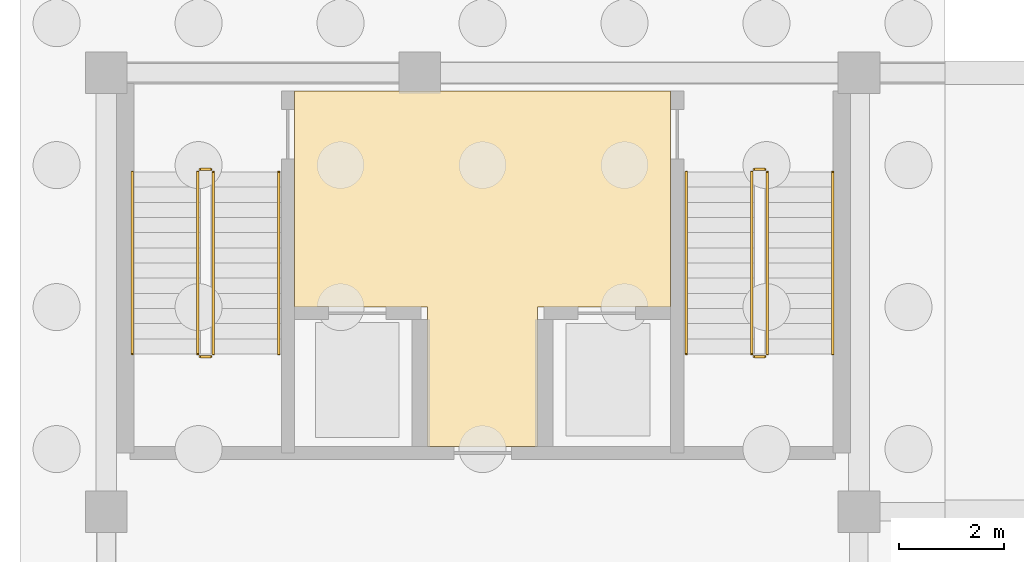
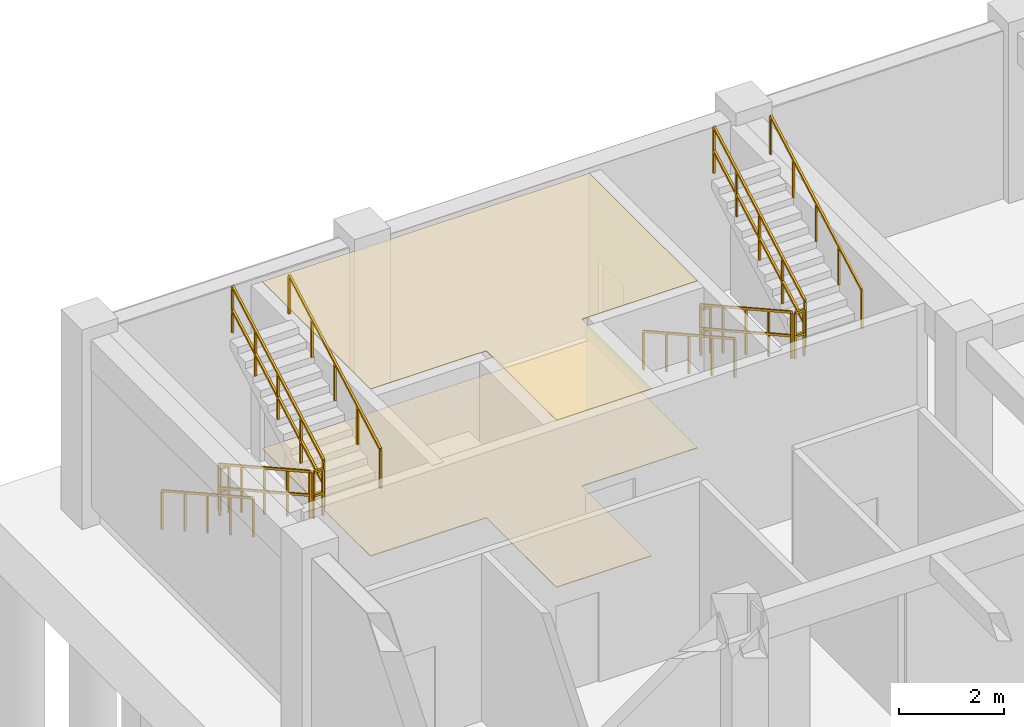
# One storey, part 37 of 40: 12 railings, 2 coverings.
"""IFC4 building model written with IfcOpenShell, lengths in metres."""

from ifc_helpers import new_model, si_unit, direction, frame, origin, origin_2d, place, context, subcontext, project, spatial, polyline, rectangle, outline, extrude, material, layer, layer_set, type_object, element, save


model = new_model("IFC4")

# Units and contexts
model_context = context("Model", 3, precision=1e-05, world=origin(), true_north=direction((0.0, 1.0)))
body_context = subcontext(model_context, "Body", "Model", "MODEL_VIEW")
ifc_project = project(units=[si_unit("LENGTHUNIT", "METRE"), si_unit("AREAUNIT", "SQUARE_METRE"), si_unit("VOLUMEUNIT", "CUBIC_METRE"), si_unit("PLANEANGLEUNIT", "RADIAN"), si_unit("MASSUNIT", "GRAM", prefix="KILO"), si_unit("THERMODYNAMICTEMPERATUREUNIT", "KELVIN")], contexts=[model_context])

# Site, building, storey
site_placement = place(None, origin())
site = spatial("IfcSite", under=ifc_project, at=site_placement, CompositionType="ELEMENT")
building_placement = place(site_placement, origin())
building = spatial("IfcBuilding", under=site, at=building_placement, Name="Thalorik Housing Commons", CompositionType="ELEMENT")
storey_placement = place(building_placement, frame((0.0, 0.0, -4.199951171875)))
storey = spatial("IfcBuildingStorey", under=building, at=storey_placement, Name="B1", CompositionType="ELEMENT", Elevation=-4.199951171875)

# Coverings
ifc_material_1 = material(Name="Mineral fibre acoustic ceiling tile")
ifc_layer_1 = layer(ifc_material_1, 0.01806640625, Name="Mineral fibre acoustic ceiling tile")
ifc_layer_set_1 = layer_set([ifc_layer_1], Name="Mineral fibre acoustic ceiling tile")
covering_type_1 = type_object("IfcCoveringType", Name="ARC-COV-CEIL-02", PredefinedType="CEILING", material=ifc_layer_set_1)
covering_1_placement = place(storey_placement, frame((0.0, 0.0, 3.8818359375)))
element("IfcCovering", 1, at=covering_1_placement, inside=storey, type_object=covering_type_1, Name="B1 Block A Firefighting Lift Lobby Suspended Ceiling", PredefinedType="CEILING", context=body_context, shape_type="SweptSolid", body=[
    extrude(outline(polyline([(14.550048828125, 116.449951171875), (16.64990234375, 116.449951171875), (16.650146484375, 119.1201171875), (19.199951171875, 119.1201171875), (19.199951171875, 123.25), (12.0, 123.25), (12.0, 119.1201171875), (14.550048828125, 119.1201171875), (14.550048828125, 116.449951171875)])), origin(), (0.0, 0.0, 1.0), 0.01806640625),
])
ifc_material_2 = material(Name="Slip-resistant quarry terracotta corridor tile", Category="masonry")
ifc_layer_2 = layer(ifc_material_2, 0.01611328125, Name="Slip-resistant quarry terracotta corridor tile", Category="masonry")
ifc_layer_set_2 = layer_set([ifc_layer_2], Name="Slip-resistant quarry terracotta corridor tile")
covering_type_2 = type_object("IfcCoveringType", Name="ARC-COV-FLR-02", PredefinedType="FLOORING", material=ifc_layer_set_2)
covering_2_placement = place(storey_placement, origin())
element("IfcCovering", 2, at=covering_2_placement, inside=storey, type_object=covering_type_2, Name="B1 Block A Firefighting Lift Lobby Flooring", PredefinedType="FLOORING", context=body_context, shape_type="SweptSolid", body=[
    extrude(outline(polyline([(14.550048828125, 116.449951171875), (16.64990234375, 116.449951171875), (16.650146484375, 119.1201171875), (19.199951171875, 119.1201171875), (19.199951171875, 123.25), (12.0, 123.25), (12.0, 119.1201171875), (14.550048828125, 119.1201171875), (14.550048828125, 116.449951171875)])), origin(), (0.0, 0.0, 1.0), 0.015869140625),
])

# Railings
ifc_material_3 = material(Name="Steel S355", Category="steel")
railing_type_1 = type_object("IfcRailingType", Name="ARC-RL-STR-GRD110", PredefinedType="GUARDRAIL", material=ifc_material_3)
railing_1_placement = place(storey_placement, frame((10.14990234375, 121.699951171875, 0.161376953125)))
element("IfcRailing", 3, at=railing_1_placement, inside=storey, type_object=railing_type_1, Name="B1 ST-A1 stair guard 1", PredefinedType="GUARDRAIL", context=body_context, shape_type="SweptSolid", body=[
    extrude(rectangle(XDim=0.048095703125, YDim=0.048095703125, at=origin_2d()), frame((0.0, 0.0, 1.076171875), z_axis=(0.0, -0.87360743253, 0.486631332559), x_axis=(1.0, 0.0, 0.0)), (0.0, 0.0, 1.0), 3.9833984375),
    extrude(rectangle(XDim=0.048095703125, YDim=0.048095703125, at=origin_2d()), frame((0.0, 0.0, 0.52587890625), z_axis=(0.0, -0.87360743253, 0.486631332559), x_axis=(1.0, 0.0, 0.0)), (0.0, 0.0, 1.0), 3.9833984375),
    extrude(rectangle(XDim=0.0419921875, YDim=0.0419921875, at=origin_2d()), origin(), (0.0, 0.0, 1.0), 1.052001953125),
    extrude(rectangle(XDim=0.0419921875, YDim=0.0419921875, at=origin_2d()), frame((0.0, -0.8701171875, 0.484619140625)), (0.0, 0.0, 1.0), 1.052001953125),
    extrude(rectangle(XDim=0.0419921875, YDim=0.0419921875, at=origin_2d()), frame((0.0, -1.739990234375, 0.96923828125)), (0.0, 0.0, 1.0), 1.052001953125),
    extrude(rectangle(XDim=0.0419921875, YDim=0.0419921875, at=origin_2d()), frame((0.0, -2.60986328125, 1.453857421875)), (0.0, 0.0, 1.0), 1.052001953125),
    extrude(rectangle(XDim=0.0419921875, YDim=0.0419921875, at=origin_2d()), frame((0.0, -3.47998046875, 1.9384765625)), (0.0, 0.0, 1.0), 1.052001953125),
])
railing_2_placement = place(storey_placement, frame((10.199951171875, 118.169921875, 2.099853515625)))
element("IfcRailing", 4, at=railing_2_placement, inside=storey, type_object=railing_type_1, Name="B1 ST-A1 stair guard 2", PredefinedType="GUARDRAIL", context=body_context, shape_type="SweptSolid", body=[
    extrude(rectangle(XDim=0.048095703125, YDim=0.048095703125, at=origin_2d()), frame((0.0, 0.0, 1.076171875), z_axis=(1.0, 0.0, 0.0), x_axis=(0.0, 1.0, 0.0)), (0.0, 0.0, 1.0), 0.199951171875),
    extrude(rectangle(XDim=0.048095703125, YDim=0.048095703125, at=origin_2d()), frame((0.0, 0.0, 0.52587890625), z_axis=(1.0, 0.0, 0.0), x_axis=(0.0, 1.0, 0.0)), (0.0, 0.0, 1.0), 0.199951171875),
    extrude(rectangle(XDim=0.0419921875, YDim=0.0419921875, at=origin_2d()), origin(), (0.0, 0.0, 1.0), 1.052001953125),
    extrude(rectangle(XDim=0.0419921875, YDim=0.0419921875, at=origin_2d()), frame((0.199951171875, 0.0, 0.0)), (0.0, 0.0, 1.0), 1.052001953125),
])
railing_3_placement = place(storey_placement, frame((10.449951171875, 118.219970703125, 2.261474609375)))
element("IfcRailing", 5, at=railing_3_placement, inside=storey, type_object=railing_type_1, Name="B1 ST-A1 stair guard 3", PredefinedType="GUARDRAIL", context=body_context, shape_type="SweptSolid", body=[
    extrude(rectangle(XDim=0.048095703125, YDim=0.048095703125, at=origin_2d()), frame((0.0, 0.0, 1.076171875), z_axis=(0.0, 0.87360743253, 0.486631332559), x_axis=(-1.0, 0.0, 0.0)), (0.0, 0.0, 1.0), 3.9833984375),
    extrude(rectangle(XDim=0.048095703125, YDim=0.048095703125, at=origin_2d()), frame((0.0, 0.0, 0.52587890625), z_axis=(0.0, 0.87360743253, 0.486631332559), x_axis=(-1.0, 0.0, 0.0)), (0.0, 0.0, 1.0), 3.9833984375),
    extrude(rectangle(XDim=0.0419921875, YDim=0.0419921875, at=origin_2d()), origin(), (0.0, 0.0, 1.0), 1.052001953125),
    extrude(rectangle(XDim=0.0419921875, YDim=0.0419921875, at=origin_2d()), frame((0.0, 0.8701171875, 0.484619140625)), (0.0, 0.0, 1.0), 1.052001953125),
    extrude(rectangle(XDim=0.0419921875, YDim=0.0419921875, at=origin_2d()), frame((0.0, 1.739990234375, 0.96923828125)), (0.0, 0.0, 1.0), 1.052001953125),
    extrude(rectangle(XDim=0.0419921875, YDim=0.0419921875, at=origin_2d()), frame((0.0, 2.60986328125, 1.453857421875)), (0.0, 0.0, 1.0), 1.052001953125),
    extrude(rectangle(XDim=0.0419921875, YDim=0.0419921875, at=origin_2d()), frame((0.0, 3.47998046875, 1.9384765625)), (0.0, 0.0, 1.0), 1.052001953125),
])
railing_4_placement = place(storey_placement, frame((10.199951171875, 121.75, 0.0)))
element("IfcRailing", 6, at=railing_4_placement, inside=storey, type_object=railing_type_1, Name="B1 ST-A1 stair guard 4", PredefinedType="GUARDRAIL", context=body_context, shape_type="SweptSolid", body=[
    extrude(rectangle(XDim=0.048095703125, YDim=0.048095703125, at=origin_2d()), frame((0.0, 0.0, 1.076171875), z_axis=(1.0, 0.0, 0.0), x_axis=(0.0, 1.0, 0.0)), (0.0, 0.0, 1.0), 0.199951171875),
    extrude(rectangle(XDim=0.048095703125, YDim=0.048095703125, at=origin_2d()), frame((0.0, 0.0, 0.52587890625), z_axis=(1.0, 0.0, 0.0), x_axis=(0.0, 1.0, 0.0)), (0.0, 0.0, 1.0), 0.199951171875),
    extrude(rectangle(XDim=0.0419921875, YDim=0.0419921875, at=origin_2d()), origin(), (0.0, 0.0, 1.0), 1.052001953125),
    extrude(rectangle(XDim=0.0419921875, YDim=0.0419921875, at=origin_2d()), frame((0.199951171875, 0.0, 0.0)), (0.0, 0.0, 1.0), 1.052001953125),
])
railing_5_placement = place(storey_placement, frame((20.75, 121.699951171875, 0.161376953125)))
element("IfcRailing", 7, at=railing_5_placement, inside=storey, type_object=railing_type_1, Name="B1 ST-A2 stair guard 1", PredefinedType="GUARDRAIL", context=body_context, shape_type="SweptSolid", body=[
    extrude(rectangle(XDim=0.048095703125, YDim=0.048095703125, at=origin_2d()), frame((0.0, 0.0, 1.076171875), z_axis=(0.0, -0.87360743253, 0.486631332559), x_axis=(1.0, 0.0, 0.0)), (0.0, 0.0, 1.0), 3.9833984375),
    extrude(rectangle(XDim=0.048095703125, YDim=0.048095703125, at=origin_2d()), frame((0.0, 0.0, 0.52587890625), z_axis=(0.0, -0.87360743253, 0.486631332559), x_axis=(1.0, 0.0, 0.0)), (0.0, 0.0, 1.0), 3.9833984375),
    extrude(rectangle(XDim=0.0419921875, YDim=0.0419921875, at=origin_2d()), origin(), (0.0, 0.0, 1.0), 1.052001953125),
    extrude(rectangle(XDim=0.0419921875, YDim=0.0419921875, at=origin_2d()), frame((0.0, -0.8701171875, 0.484619140625)), (0.0, 0.0, 1.0), 1.052001953125),
    extrude(rectangle(XDim=0.0419921875, YDim=0.0419921875, at=origin_2d()), frame((0.0, -1.739990234375, 0.96923828125)), (0.0, 0.0, 1.0), 1.052001953125),
    extrude(rectangle(XDim=0.0419921875, YDim=0.0419921875, at=origin_2d()), frame((0.0, -2.60986328125, 1.453857421875)), (0.0, 0.0, 1.0), 1.052001953125),
    extrude(rectangle(XDim=0.0419921875, YDim=0.0419921875, at=origin_2d()), frame((0.0, -3.47998046875, 1.9384765625)), (0.0, 0.0, 1.0), 1.052001953125),
])
railing_6_placement = place(storey_placement, frame((20.800048828125, 118.169921875, 2.099853515625)))
element("IfcRailing", 8, at=railing_6_placement, inside=storey, type_object=railing_type_1, Name="B1 ST-A2 stair guard 2", PredefinedType="GUARDRAIL", context=body_context, shape_type="SweptSolid", body=[
    extrude(rectangle(XDim=0.048095703125, YDim=0.048095703125, at=origin_2d()), frame((0.0, 0.0, 1.076171875), z_axis=(1.0, 0.0, 0.0), x_axis=(0.0, 1.0, 0.0)), (0.0, 0.0, 1.0), 0.199951171875),
    extrude(rectangle(XDim=0.048095703125, YDim=0.048095703125, at=origin_2d()), frame((0.0, 0.0, 0.52587890625), z_axis=(1.0, 0.0, 0.0), x_axis=(0.0, 1.0, 0.0)), (0.0, 0.0, 1.0), 0.199951171875),
    extrude(rectangle(XDim=0.0419921875, YDim=0.0419921875, at=origin_2d()), origin(), (0.0, 0.0, 1.0), 1.052001953125),
    extrude(rectangle(XDim=0.0419921875, YDim=0.0419921875, at=origin_2d()), frame((0.199951171875, 0.0, 0.0)), (0.0, 0.0, 1.0), 1.052001953125),
])
railing_7_placement = place(storey_placement, frame((21.050048828125, 118.219970703125, 2.261474609375)))
element("IfcRailing", 9, at=railing_7_placement, inside=storey, type_object=railing_type_1, Name="B1 ST-A2 stair guard 3", PredefinedType="GUARDRAIL", context=body_context, shape_type="SweptSolid", body=[
    extrude(rectangle(XDim=0.048095703125, YDim=0.048095703125, at=origin_2d()), frame((0.0, 0.0, 1.076171875), z_axis=(0.0, 0.87360743253, 0.486631332559), x_axis=(-1.0, 0.0, 0.0)), (0.0, 0.0, 1.0), 3.9833984375),
    extrude(rectangle(XDim=0.048095703125, YDim=0.048095703125, at=origin_2d()), frame((0.0, 0.0, 0.52587890625), z_axis=(0.0, 0.87360743253, 0.486631332559), x_axis=(-1.0, 0.0, 0.0)), (0.0, 0.0, 1.0), 3.9833984375),
    extrude(rectangle(XDim=0.0419921875, YDim=0.0419921875, at=origin_2d()), origin(), (0.0, 0.0, 1.0), 1.052001953125),
    extrude(rectangle(XDim=0.0419921875, YDim=0.0419921875, at=origin_2d()), frame((0.0, 0.8701171875, 0.484619140625)), (0.0, 0.0, 1.0), 1.052001953125),
    extrude(rectangle(XDim=0.0419921875, YDim=0.0419921875, at=origin_2d()), frame((0.0, 1.739990234375, 0.96923828125)), (0.0, 0.0, 1.0), 1.052001953125),
    extrude(rectangle(XDim=0.0419921875, YDim=0.0419921875, at=origin_2d()), frame((0.0, 2.60986328125, 1.453857421875)), (0.0, 0.0, 1.0), 1.052001953125),
    extrude(rectangle(XDim=0.0419921875, YDim=0.0419921875, at=origin_2d()), frame((0.0, 3.47998046875, 1.9384765625)), (0.0, 0.0, 1.0), 1.052001953125),
])
railing_8_placement = place(storey_placement, frame((20.800048828125, 121.75, 0.0)))
element("IfcRailing", 10, at=railing_8_placement, inside=storey, type_object=railing_type_1, Name="B1 ST-A2 stair guard 4", PredefinedType="GUARDRAIL", context=body_context, shape_type="SweptSolid", body=[
    extrude(rectangle(XDim=0.048095703125, YDim=0.048095703125, at=origin_2d()), frame((0.0, 0.0, 1.076171875), z_axis=(1.0, 0.0, 0.0), x_axis=(0.0, 1.0, 0.0)), (0.0, 0.0, 1.0), 0.199951171875),
    extrude(rectangle(XDim=0.048095703125, YDim=0.048095703125, at=origin_2d()), frame((0.0, 0.0, 0.52587890625), z_axis=(1.0, 0.0, 0.0), x_axis=(0.0, 1.0, 0.0)), (0.0, 0.0, 1.0), 0.199951171875),
    extrude(rectangle(XDim=0.0419921875, YDim=0.0419921875, at=origin_2d()), origin(), (0.0, 0.0, 1.0), 1.052001953125),
    extrude(rectangle(XDim=0.0419921875, YDim=0.0419921875, at=origin_2d()), frame((0.199951171875, 0.0, 0.0)), (0.0, 0.0, 1.0), 1.052001953125),
])
railing_type_2 = type_object("IfcRailingType", Name="ARC-RL-STR-HR092", PredefinedType="HANDRAIL", material=ifc_material_3)
railing_9_placement = place(storey_placement, frame((8.89990234375, 121.699951171875, 0.161376953125)))
element("IfcRailing", 11, at=railing_9_placement, inside=storey, type_object=railing_type_2, Name="B1 ST-A1 stair handrail 1", PredefinedType="HANDRAIL", context=body_context, shape_type="SweptSolid", body=[
    extrude(rectangle(XDim=0.048095703125, YDim=0.048095703125, at=origin_2d()), frame((0.0, 0.0, 0.89599609375), z_axis=(0.0, -0.87360743253, 0.486631332559), x_axis=(1.0, 0.0, 0.0)), (0.0, 0.0, 1.0), 3.9833984375),
    extrude(rectangle(XDim=0.0419921875, YDim=0.0419921875, at=origin_2d()), origin(), (0.0, 0.0, 1.0), 0.871826171875),
    extrude(rectangle(XDim=0.0419921875, YDim=0.0419921875, at=origin_2d()), frame((0.0, -0.8701171875, 0.484619140625)), (0.0, 0.0, 1.0), 0.871826171875),
    extrude(rectangle(XDim=0.0419921875, YDim=0.0419921875, at=origin_2d()), frame((0.0, -1.739990234375, 0.96923828125)), (0.0, 0.0, 1.0), 0.871826171875),
    extrude(rectangle(XDim=0.0419921875, YDim=0.0419921875, at=origin_2d()), frame((0.0, -2.60986328125, 1.453857421875)), (0.0, 0.0, 1.0), 0.871826171875),
    extrude(rectangle(XDim=0.0419921875, YDim=0.0419921875, at=origin_2d()), frame((0.0, -3.47998046875, 1.9384765625)), (0.0, 0.0, 1.0), 0.871826171875),
])
railing_10_placement = place(storey_placement, frame((11.699951171875, 118.219970703125, 2.261474609375)))
element("IfcRailing", 12, at=railing_10_placement, inside=storey, type_object=railing_type_2, Name="B1 ST-A1 stair handrail 2", PredefinedType="HANDRAIL", context=body_context, shape_type="SweptSolid", body=[
    extrude(rectangle(XDim=0.048095703125, YDim=0.048095703125, at=origin_2d()), frame((0.0, 0.0, 0.89599609375), z_axis=(0.0, 0.87360743253, 0.486631332559), x_axis=(-1.0, 0.0, 0.0)), (0.0, 0.0, 1.0), 3.9833984375),
    extrude(rectangle(XDim=0.0419921875, YDim=0.0419921875, at=origin_2d()), origin(), (0.0, 0.0, 1.0), 0.871826171875),
    extrude(rectangle(XDim=0.0419921875, YDim=0.0419921875, at=origin_2d()), frame((0.0, 0.8701171875, 0.484619140625)), (0.0, 0.0, 1.0), 0.871826171875),
    extrude(rectangle(XDim=0.0419921875, YDim=0.0419921875, at=origin_2d()), frame((0.0, 1.739990234375, 0.96923828125)), (0.0, 0.0, 1.0), 0.871826171875),
    extrude(rectangle(XDim=0.0419921875, YDim=0.0419921875, at=origin_2d()), frame((0.0, 2.60986328125, 1.453857421875)), (0.0, 0.0, 1.0), 0.871826171875),
    extrude(rectangle(XDim=0.0419921875, YDim=0.0419921875, at=origin_2d()), frame((0.0, 3.47998046875, 1.9384765625)), (0.0, 0.0, 1.0), 0.871826171875),
])
railing_11_placement = place(storey_placement, frame((19.5, 121.699951171875, 0.161376953125)))
element("IfcRailing", 13, at=railing_11_placement, inside=storey, type_object=railing_type_2, Name="B1 ST-A2 stair handrail 1", PredefinedType="HANDRAIL", context=body_context, shape_type="SweptSolid", body=[
    extrude(rectangle(XDim=0.048095703125, YDim=0.048095703125, at=origin_2d()), frame((0.0, 0.0, 0.89599609375), z_axis=(0.0, -0.87360743253, 0.486631332559), x_axis=(1.0, 0.0, 0.0)), (0.0, 0.0, 1.0), 3.9833984375),
    extrude(rectangle(XDim=0.0419921875, YDim=0.0419921875, at=origin_2d()), origin(), (0.0, 0.0, 1.0), 0.871826171875),
    extrude(rectangle(XDim=0.0419921875, YDim=0.0419921875, at=origin_2d()), frame((0.0, -0.8701171875, 0.484619140625)), (0.0, 0.0, 1.0), 0.871826171875),
    extrude(rectangle(XDim=0.0419921875, YDim=0.0419921875, at=origin_2d()), frame((0.0, -1.739990234375, 0.96923828125)), (0.0, 0.0, 1.0), 0.871826171875),
    extrude(rectangle(XDim=0.0419921875, YDim=0.0419921875, at=origin_2d()), frame((0.0, -2.60986328125, 1.453857421875)), (0.0, 0.0, 1.0), 0.871826171875),
    extrude(rectangle(XDim=0.0419921875, YDim=0.0419921875, at=origin_2d()), frame((0.0, -3.47998046875, 1.9384765625)), (0.0, 0.0, 1.0), 0.871826171875),
])
railing_12_placement = place(storey_placement, frame((22.300048828125, 118.219970703125, 2.261474609375)))
element("IfcRailing", 14, at=railing_12_placement, inside=storey, type_object=railing_type_2, Name="B1 ST-A2 stair handrail 2", PredefinedType="HANDRAIL", context=body_context, shape_type="SweptSolid", body=[
    extrude(rectangle(XDim=0.048095703125, YDim=0.048095703125, at=origin_2d()), frame((0.0, 0.0, 0.89599609375), z_axis=(0.0, 0.87360743253, 0.486631332559), x_axis=(-1.0, 0.0, 0.0)), (0.0, 0.0, 1.0), 3.9833984375),
    extrude(rectangle(XDim=0.0419921875, YDim=0.0419921875, at=origin_2d()), origin(), (0.0, 0.0, 1.0), 0.871826171875),
    extrude(rectangle(XDim=0.0419921875, YDim=0.0419921875, at=origin_2d()), frame((0.0, 0.8701171875, 0.484619140625)), (0.0, 0.0, 1.0), 0.871826171875),
    extrude(rectangle(XDim=0.0419921875, YDim=0.0419921875, at=origin_2d()), frame((0.0, 1.739990234375, 0.96923828125)), (0.0, 0.0, 1.0), 0.871826171875),
    extrude(rectangle(XDim=0.0419921875, YDim=0.0419921875, at=origin_2d()), frame((0.0, 2.60986328125, 1.453857421875)), (0.0, 0.0, 1.0), 0.871826171875),
    extrude(rectangle(XDim=0.0419921875, YDim=0.0419921875, at=origin_2d()), frame((0.0, 3.47998046875, 1.9384765625)), (0.0, 0.0, 1.0), 0.871826171875),
])

save(model, "model.ifc")
